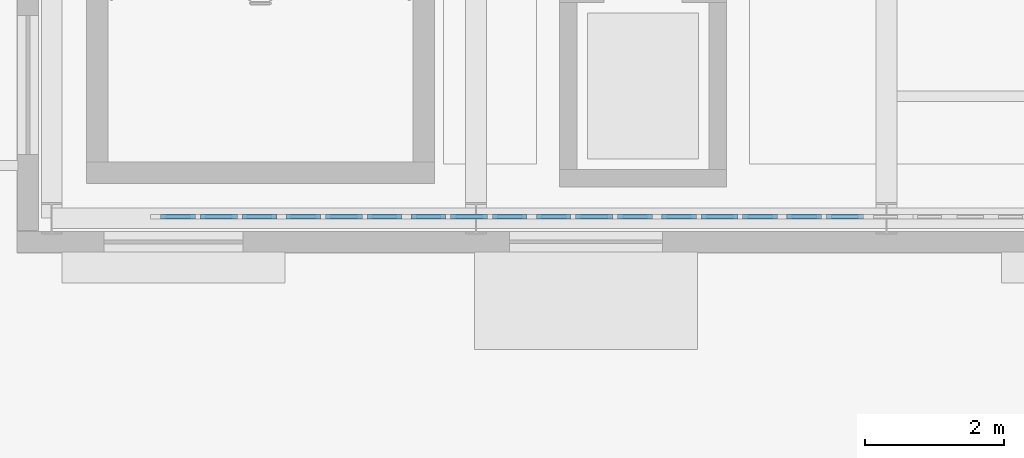
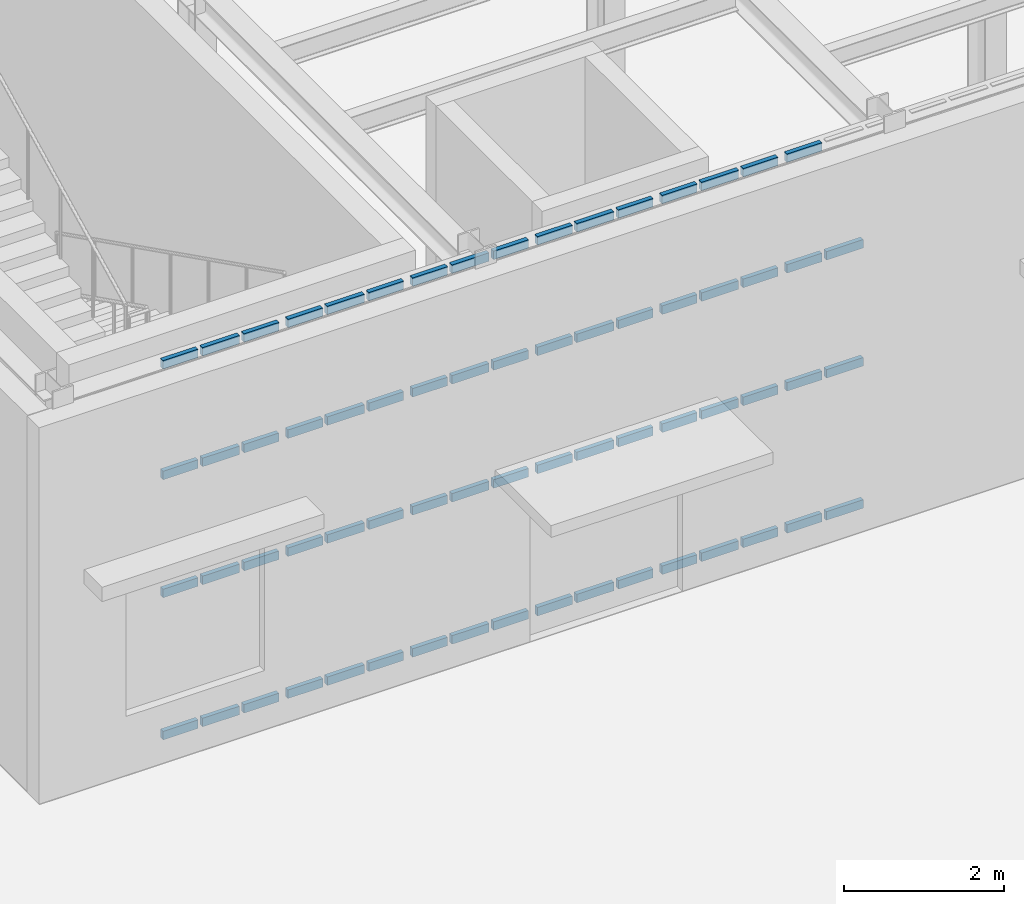
# One storey, part 56 of 118: 67 members, 6 elements without a shape of their own.
"""IFC4 building model written with IfcOpenShell, lengths in metres."""

from ifc_helpers import new_model, si_unit, direction, frame, origin, origin_2d, place, context, subcontext, project, spatial, rectangle, extrude, material, material_profile, profile_set, type_object, element, aggregate, save


model = new_model("IFC4")

# Units and contexts
model_context = context("Model", 3, precision=1e-05, world=origin(), true_north=direction((0.0, 1.0)))
body_context = subcontext(model_context, "Body", "Model", "MODEL_VIEW")
ifc_project = project(units=[si_unit("LENGTHUNIT", "METRE"), si_unit("AREAUNIT", "SQUARE_METRE"), si_unit("VOLUMEUNIT", "CUBIC_METRE"), si_unit("PLANEANGLEUNIT", "RADIAN"), si_unit("MASSUNIT", "GRAM", prefix="KILO")], contexts=[model_context])

# Site, building, storey
site_placement = place(None, origin())
site = spatial("IfcSite", under=ifc_project, at=site_placement, CompositionType="ELEMENT")
building_placement = place(site_placement, origin())
building = spatial("IfcBuilding", under=site, at=building_placement, Name="Kolvaren Corner Interchange", CompositionType="ELEMENT")
storey_placement = place(building_placement, origin())
storey = spatial("IfcBuildingStorey", under=building, at=storey_placement, Name="L01", CompositionType="ELEMENT", Elevation=0.0)

# Curtain wall, members
ifc_material_1 = material(Name="Unitised Aluminium and Solar-Control Glass Curtain Wall", Category="aluminium")
curtain_wall_type = type_object("IfcCurtainWallType", Name="CW-V3-CYCLE", PredefinedType="NOTDEFINED", material=ifc_material_1)
curtain_wall_1_placement = place(storey_placement, origin())
curtain_wall_1 = element("IfcCurtainWall", 1, at=curtain_wall_1_placement, inside=storey, type_object=curtain_wall_type, Name="Cycle Showcase Ground Curtain Wall Bay 01", PredefinedType="NOTDEFINED")
ifc_material_2 = material(Name="Anodised Aluminium Framing", Category="aluminium")
ifc_material_profile = material_profile(ifc_material_2, rectangle(XDim=0.06494140625, YDim=0.1298828125, at=origin_2d()), Name="ALU 65x130")
ifc_profile_set = profile_set([ifc_material_profile], Name="Anodised Aluminium Framing")
member_type = type_object("IfcMemberType", Name="TRN-ALU65x130", PredefinedType="USERDEFINED", material=ifc_profile_set)
member_1_placement = place(storey_placement, frame((68.06494140625, 84.52001953125, 0.032470703125), z_axis=(1.0, 0.0, 0.0), x_axis=(0.0, 1.0, 0.0)))
member_1 = element("IfcMember", 2, at=member_1_placement, type_object=member_type, Name="CW-106 transom 1.1", ObjectType="TRANSOM", PredefinedType="USERDEFINED", context=body_context, shape_type="SweptSolid", body=[
    extrude(rectangle(XDim=0.06494140625, YDim=0.1298828125, at=origin_2d()), origin(), (0.0, 0.0, 1.0), 0.50244140625),
])
member_2_placement = place(storey_placement, frame((68.06494140625, 84.52001953125, 2.199951171875), z_axis=(1.0, 0.0, 0.0), x_axis=(0.0, 1.0, 0.0)))
member_2 = element("IfcMember", 3, at=member_2_placement, type_object=member_type, Name="CW-106 transom 1.2", ObjectType="TRANSOM", PredefinedType="USERDEFINED", context=body_context, shape_type="SweptSolid", body=[
    extrude(rectangle(XDim=0.06494140625, YDim=0.1298828125, at=origin_2d()), origin(), (0.0, 0.0, 1.0), 0.50244140625),
])
member_3_placement = place(storey_placement, frame((68.06494140625, 84.52001953125, 4.0), z_axis=(1.0, 0.0, 0.0), x_axis=(0.0, 1.0, 0.0)))
member_3 = element("IfcMember", 4, at=member_3_placement, type_object=member_type, Name="CW-106 transom 1.3", ObjectType="TRANSOM", PredefinedType="USERDEFINED", context=body_context, shape_type="SweptSolid", body=[
    extrude(rectangle(XDim=0.06494140625, YDim=0.1298828125, at=origin_2d()), origin(), (0.0, 0.0, 1.0), 0.50244140625),
])
member_4_placement = place(storey_placement, frame((68.06494140625, 84.52001953125, 5.6875), z_axis=(1.0, 0.0, 0.0), x_axis=(0.0, 1.0, 0.0)))
member_4 = element("IfcMember", 5, at=member_4_placement, type_object=member_type, Name="CW-106 transom 1.4", ObjectType="TRANSOM", PredefinedType="USERDEFINED", context=body_context, shape_type="SweptSolid", body=[
    extrude(rectangle(XDim=0.06494140625, YDim=0.1298828125, at=origin_2d()), origin(), (0.0, 0.0, 1.0), 0.50244140625),
])
member_5_placement = place(storey_placement, frame((68.632568359375, 84.52001953125, 0.032470703125), z_axis=(1.0, 0.0, 0.0), x_axis=(0.0, 1.0, 0.0)))
member_5 = element("IfcMember", 6, at=member_5_placement, type_object=member_type, Name="CW-106 transom 2.1", ObjectType="TRANSOM", PredefinedType="USERDEFINED", context=body_context, shape_type="SweptSolid", body=[
    extrude(rectangle(XDim=0.06494140625, YDim=0.1298828125, at=origin_2d()), origin(), (0.0, 0.0, 1.0), 0.534912109375),
])
member_6_placement = place(storey_placement, frame((68.632568359375, 84.52001953125, 2.199951171875), z_axis=(1.0, 0.0, 0.0), x_axis=(0.0, 1.0, 0.0)))
member_6 = element("IfcMember", 7, at=member_6_placement, type_object=member_type, Name="CW-106 transom 2.2", ObjectType="TRANSOM", PredefinedType="USERDEFINED", context=body_context, shape_type="SweptSolid", body=[
    extrude(rectangle(XDim=0.06494140625, YDim=0.1298828125, at=origin_2d()), origin(), (0.0, 0.0, 1.0), 0.534912109375),
])
member_7_placement = place(storey_placement, frame((68.632568359375, 84.52001953125, 4.0), z_axis=(1.0, 0.0, 0.0), x_axis=(0.0, 1.0, 0.0)))
member_7 = element("IfcMember", 8, at=member_7_placement, type_object=member_type, Name="CW-106 transom 2.3", ObjectType="TRANSOM", PredefinedType="USERDEFINED", context=body_context, shape_type="SweptSolid", body=[
    extrude(rectangle(XDim=0.06494140625, YDim=0.1298828125, at=origin_2d()), origin(), (0.0, 0.0, 1.0), 0.534912109375),
])
member_8_placement = place(storey_placement, frame((68.632568359375, 84.52001953125, 5.6875), z_axis=(1.0, 0.0, 0.0), x_axis=(0.0, 1.0, 0.0)))
member_8 = element("IfcMember", 9, at=member_8_placement, type_object=member_type, Name="CW-106 transom 2.4", ObjectType="TRANSOM", PredefinedType="USERDEFINED", context=body_context, shape_type="SweptSolid", body=[
    extrude(rectangle(XDim=0.06494140625, YDim=0.1298828125, at=origin_2d()), origin(), (0.0, 0.0, 1.0), 0.534912109375),
])
member_9_placement = place(storey_placement, frame((69.232421875, 84.52001953125, 0.032470703125), z_axis=(1.0, 0.0, 0.0), x_axis=(0.0, 1.0, 0.0)))
member_9 = element("IfcMember", 10, at=member_9_placement, type_object=member_type, Name="CW-106 transom 3.1", ObjectType="TRANSOM", PredefinedType="USERDEFINED", context=body_context, shape_type="SweptSolid", body=[
    extrude(rectangle(XDim=0.06494140625, YDim=0.1298828125, at=origin_2d()), origin(), (0.0, 0.0, 1.0), 0.502685546875),
])
member_10_placement = place(storey_placement, frame((69.232421875, 84.52001953125, 2.199951171875), z_axis=(1.0, 0.0, 0.0), x_axis=(0.0, 1.0, 0.0)))
member_10 = element("IfcMember", 11, at=member_10_placement, type_object=member_type, Name="CW-106 transom 3.2", ObjectType="TRANSOM", PredefinedType="USERDEFINED", context=body_context, shape_type="SweptSolid", body=[
    extrude(rectangle(XDim=0.06494140625, YDim=0.1298828125, at=origin_2d()), origin(), (0.0, 0.0, 1.0), 0.502685546875),
])
member_11_placement = place(storey_placement, frame((69.232421875, 84.52001953125, 4.0), z_axis=(1.0, 0.0, 0.0), x_axis=(0.0, 1.0, 0.0)))
member_11 = element("IfcMember", 12, at=member_11_placement, type_object=member_type, Name="CW-106 transom 3.3", ObjectType="TRANSOM", PredefinedType="USERDEFINED", context=body_context, shape_type="SweptSolid", body=[
    extrude(rectangle(XDim=0.06494140625, YDim=0.1298828125, at=origin_2d()), origin(), (0.0, 0.0, 1.0), 0.502685546875),
])
member_12_placement = place(storey_placement, frame((69.232421875, 84.52001953125, 5.6875), z_axis=(1.0, 0.0, 0.0), x_axis=(0.0, 1.0, 0.0)))
member_12 = element("IfcMember", 13, at=member_12_placement, type_object=member_type, Name="CW-106 transom 3.4", ObjectType="TRANSOM", PredefinedType="USERDEFINED", context=body_context, shape_type="SweptSolid", body=[
    extrude(rectangle(XDim=0.06494140625, YDim=0.1298828125, at=origin_2d()), origin(), (0.0, 0.0, 1.0), 0.502685546875),
])
aggregate(curtain_wall_1, [member_1, member_2, member_3, member_4, member_5, member_6, member_7, member_8, member_9, member_10, member_11, member_12])

curtain_wall_2_placement = place(storey_placement, origin())
curtain_wall_2 = element("IfcCurtainWall", 14, at=curtain_wall_2_placement, inside=storey, type_object=curtain_wall_type, Name="Cycle Showcase Ground Curtain Wall Bay 02", PredefinedType="NOTDEFINED")
member_13_placement = place(storey_placement, frame((69.864990234375, 84.52001953125, 0.032470703125), z_axis=(1.0, 0.0, 0.0), x_axis=(0.0, 1.0, 0.0)))
member_13 = element("IfcMember", 15, at=member_13_placement, type_object=member_type, Name="CW-107 transom 1.1", ObjectType="TRANSOM", PredefinedType="USERDEFINED", context=body_context, shape_type="SweptSolid", body=[
    extrude(rectangle(XDim=0.06494140625, YDim=0.1298828125, at=origin_2d()), origin(), (0.0, 0.0, 1.0), 0.50244140625),
])
member_14_placement = place(storey_placement, frame((69.864990234375, 84.52001953125, 2.199951171875), z_axis=(1.0, 0.0, 0.0), x_axis=(0.0, 1.0, 0.0)))
member_14 = element("IfcMember", 16, at=member_14_placement, type_object=member_type, Name="CW-107 transom 1.2", ObjectType="TRANSOM", PredefinedType="USERDEFINED", context=body_context, shape_type="SweptSolid", body=[
    extrude(rectangle(XDim=0.06494140625, YDim=0.1298828125, at=origin_2d()), origin(), (0.0, 0.0, 1.0), 0.50244140625),
])
member_15_placement = place(storey_placement, frame((69.864990234375, 84.52001953125, 4.0), z_axis=(1.0, 0.0, 0.0), x_axis=(0.0, 1.0, 0.0)))
member_15 = element("IfcMember", 17, at=member_15_placement, type_object=member_type, Name="CW-107 transom 1.3", ObjectType="TRANSOM", PredefinedType="USERDEFINED", context=body_context, shape_type="SweptSolid", body=[
    extrude(rectangle(XDim=0.06494140625, YDim=0.1298828125, at=origin_2d()), origin(), (0.0, 0.0, 1.0), 0.50244140625),
])
member_16_placement = place(storey_placement, frame((69.864990234375, 84.52001953125, 5.6875), z_axis=(1.0, 0.0, 0.0), x_axis=(0.0, 1.0, 0.0)))
member_16 = element("IfcMember", 18, at=member_16_placement, type_object=member_type, Name="CW-107 transom 1.4", ObjectType="TRANSOM", PredefinedType="USERDEFINED", context=body_context, shape_type="SweptSolid", body=[
    extrude(rectangle(XDim=0.06494140625, YDim=0.1298828125, at=origin_2d()), origin(), (0.0, 0.0, 1.0), 0.50244140625),
])
member_17_placement = place(storey_placement, frame((70.4326171875, 84.52001953125, 0.032470703125), z_axis=(1.0, 0.0, 0.0), x_axis=(0.0, 1.0, 0.0)))
member_17 = element("IfcMember", 19, at=member_17_placement, type_object=member_type, Name="CW-107 transom 2.1", ObjectType="TRANSOM", PredefinedType="USERDEFINED", context=body_context, shape_type="SweptSolid", body=[
    extrude(rectangle(XDim=0.06494140625, YDim=0.1298828125, at=origin_2d()), origin(), (0.0, 0.0, 1.0), 0.534912109375),
])
member_18_placement = place(storey_placement, frame((70.4326171875, 84.52001953125, 2.199951171875), z_axis=(1.0, 0.0, 0.0), x_axis=(0.0, 1.0, 0.0)))
member_18 = element("IfcMember", 20, at=member_18_placement, type_object=member_type, Name="CW-107 transom 2.2", ObjectType="TRANSOM", PredefinedType="USERDEFINED", context=body_context, shape_type="SweptSolid", body=[
    extrude(rectangle(XDim=0.06494140625, YDim=0.1298828125, at=origin_2d()), origin(), (0.0, 0.0, 1.0), 0.534912109375),
])
member_19_placement = place(storey_placement, frame((70.4326171875, 84.52001953125, 4.0), z_axis=(1.0, 0.0, 0.0), x_axis=(0.0, 1.0, 0.0)))
member_19 = element("IfcMember", 21, at=member_19_placement, type_object=member_type, Name="CW-107 transom 2.3", ObjectType="TRANSOM", PredefinedType="USERDEFINED", context=body_context, shape_type="SweptSolid", body=[
    extrude(rectangle(XDim=0.06494140625, YDim=0.1298828125, at=origin_2d()), origin(), (0.0, 0.0, 1.0), 0.534912109375),
])
member_20_placement = place(storey_placement, frame((70.4326171875, 84.52001953125, 5.6875), z_axis=(1.0, 0.0, 0.0), x_axis=(0.0, 1.0, 0.0)))
member_20 = element("IfcMember", 22, at=member_20_placement, type_object=member_type, Name="CW-107 transom 2.4", ObjectType="TRANSOM", PredefinedType="USERDEFINED", context=body_context, shape_type="SweptSolid", body=[
    extrude(rectangle(XDim=0.06494140625, YDim=0.1298828125, at=origin_2d()), origin(), (0.0, 0.0, 1.0), 0.534912109375),
])
member_21_placement = place(storey_placement, frame((71.032470703125, 84.52001953125, 0.032470703125), z_axis=(1.0, 0.0, 0.0), x_axis=(0.0, 1.0, 0.0)))
member_21 = element("IfcMember", 23, at=member_21_placement, type_object=member_type, Name="CW-107 transom 3.1", ObjectType="TRANSOM", PredefinedType="USERDEFINED", context=body_context, shape_type="SweptSolid", body=[
    extrude(rectangle(XDim=0.06494140625, YDim=0.1298828125, at=origin_2d()), origin(), (0.0, 0.0, 1.0), 0.50244140625),
])
member_22_placement = place(storey_placement, frame((71.032470703125, 84.52001953125, 2.199951171875), z_axis=(1.0, 0.0, 0.0), x_axis=(0.0, 1.0, 0.0)))
member_22 = element("IfcMember", 24, at=member_22_placement, type_object=member_type, Name="CW-107 transom 3.2", ObjectType="TRANSOM", PredefinedType="USERDEFINED", context=body_context, shape_type="SweptSolid", body=[
    extrude(rectangle(XDim=0.06494140625, YDim=0.1298828125, at=origin_2d()), origin(), (0.0, 0.0, 1.0), 0.50244140625),
])
member_23_placement = place(storey_placement, frame((71.032470703125, 84.52001953125, 4.0), z_axis=(1.0, 0.0, 0.0), x_axis=(0.0, 1.0, 0.0)))
member_23 = element("IfcMember", 25, at=member_23_placement, type_object=member_type, Name="CW-107 transom 3.3", ObjectType="TRANSOM", PredefinedType="USERDEFINED", context=body_context, shape_type="SweptSolid", body=[
    extrude(rectangle(XDim=0.06494140625, YDim=0.1298828125, at=origin_2d()), origin(), (0.0, 0.0, 1.0), 0.50244140625),
])
member_24_placement = place(storey_placement, frame((71.032470703125, 84.52001953125, 5.6875), z_axis=(1.0, 0.0, 0.0), x_axis=(0.0, 1.0, 0.0)))
member_24 = element("IfcMember", 26, at=member_24_placement, type_object=member_type, Name="CW-107 transom 3.4", ObjectType="TRANSOM", PredefinedType="USERDEFINED", context=body_context, shape_type="SweptSolid", body=[
    extrude(rectangle(XDim=0.06494140625, YDim=0.1298828125, at=origin_2d()), origin(), (0.0, 0.0, 1.0), 0.50244140625),
])
aggregate(curtain_wall_2, [member_13, member_14, member_15, member_16, member_17, member_18, member_19, member_20, member_21, member_22, member_23, member_24])

curtain_wall_3_placement = place(storey_placement, origin())
curtain_wall_3 = element("IfcCurtainWall", 27, at=curtain_wall_3_placement, inside=storey, type_object=curtain_wall_type, Name="Cycle Showcase Ground Curtain Wall Bay 03", PredefinedType="NOTDEFINED")
member_25_placement = place(storey_placement, frame((71.6650390625, 84.52001953125, 0.032470703125), z_axis=(1.0, 0.0, 0.0), x_axis=(0.0, 1.0, 0.0)))
member_25 = element("IfcMember", 28, at=member_25_placement, type_object=member_type, Name="CW-108 transom 1.1", ObjectType="TRANSOM", PredefinedType="USERDEFINED", context=body_context, shape_type="SweptSolid", body=[
    extrude(rectangle(XDim=0.06494140625, YDim=0.1298828125, at=origin_2d()), origin(), (0.0, 0.0, 1.0), 0.50244140625),
])
member_26_placement = place(storey_placement, frame((71.6650390625, 84.52001953125, 2.199951171875), z_axis=(1.0, 0.0, 0.0), x_axis=(0.0, 1.0, 0.0)))
member_26 = element("IfcMember", 29, at=member_26_placement, type_object=member_type, Name="CW-108 transom 1.2", ObjectType="TRANSOM", PredefinedType="USERDEFINED", context=body_context, shape_type="SweptSolid", body=[
    extrude(rectangle(XDim=0.06494140625, YDim=0.1298828125, at=origin_2d()), origin(), (0.0, 0.0, 1.0), 0.50244140625),
])
member_27_placement = place(storey_placement, frame((71.6650390625, 84.52001953125, 4.0), z_axis=(1.0, 0.0, 0.0), x_axis=(0.0, 1.0, 0.0)))
member_27 = element("IfcMember", 30, at=member_27_placement, type_object=member_type, Name="CW-108 transom 1.3", ObjectType="TRANSOM", PredefinedType="USERDEFINED", context=body_context, shape_type="SweptSolid", body=[
    extrude(rectangle(XDim=0.06494140625, YDim=0.1298828125, at=origin_2d()), origin(), (0.0, 0.0, 1.0), 0.50244140625),
])
member_28_placement = place(storey_placement, frame((71.6650390625, 84.52001953125, 5.6875), z_axis=(1.0, 0.0, 0.0), x_axis=(0.0, 1.0, 0.0)))
member_28 = element("IfcMember", 31, at=member_28_placement, type_object=member_type, Name="CW-108 transom 1.4", ObjectType="TRANSOM", PredefinedType="USERDEFINED", context=body_context, shape_type="SweptSolid", body=[
    extrude(rectangle(XDim=0.06494140625, YDim=0.1298828125, at=origin_2d()), origin(), (0.0, 0.0, 1.0), 0.50244140625),
])
member_29_placement = place(storey_placement, frame((72.232421875, 84.52001953125, 0.032470703125), z_axis=(1.0, 0.0, 0.0), x_axis=(0.0, 1.0, 0.0)))
member_29 = element("IfcMember", 32, at=member_29_placement, type_object=member_type, Name="CW-108 transom 2.1", ObjectType="TRANSOM", PredefinedType="USERDEFINED", context=body_context, shape_type="SweptSolid", body=[
    extrude(rectangle(XDim=0.06494140625, YDim=0.1298828125, at=origin_2d()), origin(), (0.0, 0.0, 1.0), 0.53515625),
])
member_30_placement = place(storey_placement, frame((72.232421875, 84.52001953125, 2.199951171875), z_axis=(1.0, 0.0, 0.0), x_axis=(0.0, 1.0, 0.0)))
member_30 = element("IfcMember", 33, at=member_30_placement, type_object=member_type, Name="CW-108 transom 2.2", ObjectType="TRANSOM", PredefinedType="USERDEFINED", context=body_context, shape_type="SweptSolid", body=[
    extrude(rectangle(XDim=0.06494140625, YDim=0.1298828125, at=origin_2d()), origin(), (0.0, 0.0, 1.0), 0.53515625),
])
member_31_placement = place(storey_placement, frame((72.232421875, 84.52001953125, 4.0), z_axis=(1.0, 0.0, 0.0), x_axis=(0.0, 1.0, 0.0)))
member_31 = element("IfcMember", 34, at=member_31_placement, type_object=member_type, Name="CW-108 transom 2.3", ObjectType="TRANSOM", PredefinedType="USERDEFINED", context=body_context, shape_type="SweptSolid", body=[
    extrude(rectangle(XDim=0.06494140625, YDim=0.1298828125, at=origin_2d()), origin(), (0.0, 0.0, 1.0), 0.53515625),
])
member_32_placement = place(storey_placement, frame((72.232421875, 84.52001953125, 5.6875), z_axis=(1.0, 0.0, 0.0), x_axis=(0.0, 1.0, 0.0)))
member_32 = element("IfcMember", 35, at=member_32_placement, type_object=member_type, Name="CW-108 transom 2.4", ObjectType="TRANSOM", PredefinedType="USERDEFINED", context=body_context, shape_type="SweptSolid", body=[
    extrude(rectangle(XDim=0.06494140625, YDim=0.1298828125, at=origin_2d()), origin(), (0.0, 0.0, 1.0), 0.53515625),
])
member_33_placement = place(storey_placement, frame((72.83251953125, 84.52001953125, 0.032470703125), z_axis=(1.0, 0.0, 0.0), x_axis=(0.0, 1.0, 0.0)))
member_33 = element("IfcMember", 36, at=member_33_placement, type_object=member_type, Name="CW-108 transom 3.1", ObjectType="TRANSOM", PredefinedType="USERDEFINED", context=body_context, shape_type="SweptSolid", body=[
    extrude(rectangle(XDim=0.06494140625, YDim=0.1298828125, at=origin_2d()), origin(), (0.0, 0.0, 1.0), 0.50244140625),
])
member_34_placement = place(storey_placement, frame((72.83251953125, 84.52001953125, 2.199951171875), z_axis=(1.0, 0.0, 0.0), x_axis=(0.0, 1.0, 0.0)))
member_34 = element("IfcMember", 37, at=member_34_placement, type_object=member_type, Name="CW-108 transom 3.2", ObjectType="TRANSOM", PredefinedType="USERDEFINED", context=body_context, shape_type="SweptSolid", body=[
    extrude(rectangle(XDim=0.06494140625, YDim=0.1298828125, at=origin_2d()), origin(), (0.0, 0.0, 1.0), 0.50244140625),
])
member_35_placement = place(storey_placement, frame((72.83251953125, 84.52001953125, 4.0), z_axis=(1.0, 0.0, 0.0), x_axis=(0.0, 1.0, 0.0)))
member_35 = element("IfcMember", 38, at=member_35_placement, type_object=member_type, Name="CW-108 transom 3.3", ObjectType="TRANSOM", PredefinedType="USERDEFINED", context=body_context, shape_type="SweptSolid", body=[
    extrude(rectangle(XDim=0.06494140625, YDim=0.1298828125, at=origin_2d()), origin(), (0.0, 0.0, 1.0), 0.50244140625),
])
member_36_placement = place(storey_placement, frame((72.83251953125, 84.52001953125, 5.6875), z_axis=(1.0, 0.0, 0.0), x_axis=(0.0, 1.0, 0.0)))
member_36 = element("IfcMember", 39, at=member_36_placement, type_object=member_type, Name="CW-108 transom 3.4", ObjectType="TRANSOM", PredefinedType="USERDEFINED", context=body_context, shape_type="SweptSolid", body=[
    extrude(rectangle(XDim=0.06494140625, YDim=0.1298828125, at=origin_2d()), origin(), (0.0, 0.0, 1.0), 0.50244140625),
])
aggregate(curtain_wall_3, [member_25, member_26, member_27, member_28, member_29, member_30, member_31, member_32, member_33, member_34, member_35, member_36])

curtain_wall_4_placement = place(storey_placement, origin())
curtain_wall_4 = element("IfcCurtainWall", 40, at=curtain_wall_4_placement, inside=storey, type_object=curtain_wall_type, Name="Cycle Showcase Ground Curtain Wall Bay 04", PredefinedType="NOTDEFINED")
member_37_placement = place(storey_placement, frame((73.465087890625, 84.52001953125, 0.032470703125), z_axis=(1.0, 0.0, 0.0), x_axis=(0.0, 1.0, 0.0)))
member_37 = element("IfcMember", 41, at=member_37_placement, type_object=member_type, Name="CW-109 transom 1.1", ObjectType="TRANSOM", PredefinedType="USERDEFINED", context=body_context, shape_type="SweptSolid", body=[
    extrude(rectangle(XDim=0.06494140625, YDim=0.1298828125, at=origin_2d()), origin(), (0.0, 0.0, 1.0), 0.50244140625),
])
member_38_placement = place(storey_placement, frame((73.465087890625, 84.52001953125, 2.199951171875), z_axis=(1.0, 0.0, 0.0), x_axis=(0.0, 1.0, 0.0)))
member_38 = element("IfcMember", 42, at=member_38_placement, type_object=member_type, Name="CW-109 transom 1.2", ObjectType="TRANSOM", PredefinedType="USERDEFINED", context=body_context, shape_type="SweptSolid", body=[
    extrude(rectangle(XDim=0.06494140625, YDim=0.1298828125, at=origin_2d()), origin(), (0.0, 0.0, 1.0), 0.50244140625),
])
member_39_placement = place(storey_placement, frame((73.465087890625, 84.52001953125, 4.0), z_axis=(1.0, 0.0, 0.0), x_axis=(0.0, 1.0, 0.0)))
member_39 = element("IfcMember", 43, at=member_39_placement, type_object=member_type, Name="CW-109 transom 1.3", ObjectType="TRANSOM", PredefinedType="USERDEFINED", context=body_context, shape_type="SweptSolid", body=[
    extrude(rectangle(XDim=0.06494140625, YDim=0.1298828125, at=origin_2d()), origin(), (0.0, 0.0, 1.0), 0.50244140625),
])
member_40_placement = place(storey_placement, frame((73.465087890625, 84.52001953125, 5.6875), z_axis=(1.0, 0.0, 0.0), x_axis=(0.0, 1.0, 0.0)))
member_40 = element("IfcMember", 44, at=member_40_placement, type_object=member_type, Name="CW-109 transom 1.4", ObjectType="TRANSOM", PredefinedType="USERDEFINED", context=body_context, shape_type="SweptSolid", body=[
    extrude(rectangle(XDim=0.06494140625, YDim=0.1298828125, at=origin_2d()), origin(), (0.0, 0.0, 1.0), 0.50244140625),
])
member_41_placement = place(storey_placement, frame((74.032470703125, 84.52001953125, 0.032470703125), z_axis=(1.0, 0.0, 0.0), x_axis=(0.0, 1.0, 0.0)))
member_41 = element("IfcMember", 45, at=member_41_placement, type_object=member_type, Name="CW-109 transom 2.1", ObjectType="TRANSOM", PredefinedType="USERDEFINED", context=body_context, shape_type="SweptSolid", body=[
    extrude(rectangle(XDim=0.06494140625, YDim=0.1298828125, at=origin_2d()), origin(), (0.0, 0.0, 1.0), 0.534912109375),
])
member_42_placement = place(storey_placement, frame((74.032470703125, 84.52001953125, 2.199951171875), z_axis=(1.0, 0.0, 0.0), x_axis=(0.0, 1.0, 0.0)))
member_42 = element("IfcMember", 46, at=member_42_placement, type_object=member_type, Name="CW-109 transom 2.2", ObjectType="TRANSOM", PredefinedType="USERDEFINED", context=body_context, shape_type="SweptSolid", body=[
    extrude(rectangle(XDim=0.06494140625, YDim=0.1298828125, at=origin_2d()), origin(), (0.0, 0.0, 1.0), 0.534912109375),
])
member_43_placement = place(storey_placement, frame((74.032470703125, 84.52001953125, 4.0), z_axis=(1.0, 0.0, 0.0), x_axis=(0.0, 1.0, 0.0)))
member_43 = element("IfcMember", 47, at=member_43_placement, type_object=member_type, Name="CW-109 transom 2.3", ObjectType="TRANSOM", PredefinedType="USERDEFINED", context=body_context, shape_type="SweptSolid", body=[
    extrude(rectangle(XDim=0.06494140625, YDim=0.1298828125, at=origin_2d()), origin(), (0.0, 0.0, 1.0), 0.534912109375),
])
member_44_placement = place(storey_placement, frame((74.032470703125, 84.52001953125, 5.6875), z_axis=(1.0, 0.0, 0.0), x_axis=(0.0, 1.0, 0.0)))
member_44 = element("IfcMember", 48, at=member_44_placement, type_object=member_type, Name="CW-109 transom 2.4", ObjectType="TRANSOM", PredefinedType="USERDEFINED", context=body_context, shape_type="SweptSolid", body=[
    extrude(rectangle(XDim=0.06494140625, YDim=0.1298828125, at=origin_2d()), origin(), (0.0, 0.0, 1.0), 0.534912109375),
])
member_45_placement = place(storey_placement, frame((74.632568359375, 84.52001953125, 0.032470703125), z_axis=(1.0, 0.0, 0.0), x_axis=(0.0, 1.0, 0.0)))
member_45 = element("IfcMember", 49, at=member_45_placement, type_object=member_type, Name="CW-109 transom 3.1", ObjectType="TRANSOM", PredefinedType="USERDEFINED", context=body_context, shape_type="SweptSolid", body=[
    extrude(rectangle(XDim=0.06494140625, YDim=0.1298828125, at=origin_2d()), origin(), (0.0, 0.0, 1.0), 0.50244140625),
])
member_46_placement = place(storey_placement, frame((74.632568359375, 84.52001953125, 2.199951171875), z_axis=(1.0, 0.0, 0.0), x_axis=(0.0, 1.0, 0.0)))
member_46 = element("IfcMember", 50, at=member_46_placement, type_object=member_type, Name="CW-109 transom 3.2", ObjectType="TRANSOM", PredefinedType="USERDEFINED", context=body_context, shape_type="SweptSolid", body=[
    extrude(rectangle(XDim=0.06494140625, YDim=0.1298828125, at=origin_2d()), origin(), (0.0, 0.0, 1.0), 0.50244140625),
])
member_47_placement = place(storey_placement, frame((74.632568359375, 84.52001953125, 4.0), z_axis=(1.0, 0.0, 0.0), x_axis=(0.0, 1.0, 0.0)))
member_47 = element("IfcMember", 51, at=member_47_placement, type_object=member_type, Name="CW-109 transom 3.3", ObjectType="TRANSOM", PredefinedType="USERDEFINED", context=body_context, shape_type="SweptSolid", body=[
    extrude(rectangle(XDim=0.06494140625, YDim=0.1298828125, at=origin_2d()), origin(), (0.0, 0.0, 1.0), 0.50244140625),
])
member_48_placement = place(storey_placement, frame((74.632568359375, 84.52001953125, 5.6875), z_axis=(1.0, 0.0, 0.0), x_axis=(0.0, 1.0, 0.0)))
member_48 = element("IfcMember", 52, at=member_48_placement, type_object=member_type, Name="CW-109 transom 3.4", ObjectType="TRANSOM", PredefinedType="USERDEFINED", context=body_context, shape_type="SweptSolid", body=[
    extrude(rectangle(XDim=0.06494140625, YDim=0.1298828125, at=origin_2d()), origin(), (0.0, 0.0, 1.0), 0.50244140625),
])
aggregate(curtain_wall_4, [member_37, member_38, member_39, member_40, member_41, member_42, member_43, member_44, member_45, member_46, member_47, member_48])

curtain_wall_5_placement = place(storey_placement, origin())
curtain_wall_5 = element("IfcCurtainWall", 53, at=curtain_wall_5_placement, inside=storey, type_object=curtain_wall_type, Name="Cycle Showcase Ground Curtain Wall Bay 05", PredefinedType="NOTDEFINED")
member_49_placement = place(storey_placement, frame((75.264892578125, 84.52001953125, 0.032470703125), z_axis=(1.0, 0.0, 0.0), x_axis=(0.0, 1.0, 0.0)))
member_49 = element("IfcMember", 54, at=member_49_placement, type_object=member_type, Name="CW-110 transom 1.1", ObjectType="TRANSOM", PredefinedType="USERDEFINED", context=body_context, shape_type="SweptSolid", body=[
    extrude(rectangle(XDim=0.06494140625, YDim=0.1298828125, at=origin_2d()), origin(), (0.0, 0.0, 1.0), 0.502685546875),
])
member_50_placement = place(storey_placement, frame((75.264892578125, 84.52001953125, 2.199951171875), z_axis=(1.0, 0.0, 0.0), x_axis=(0.0, 1.0, 0.0)))
member_50 = element("IfcMember", 55, at=member_50_placement, type_object=member_type, Name="CW-110 transom 1.2", ObjectType="TRANSOM", PredefinedType="USERDEFINED", context=body_context, shape_type="SweptSolid", body=[
    extrude(rectangle(XDim=0.06494140625, YDim=0.1298828125, at=origin_2d()), origin(), (0.0, 0.0, 1.0), 0.502685546875),
])
member_51_placement = place(storey_placement, frame((75.264892578125, 84.52001953125, 4.0), z_axis=(1.0, 0.0, 0.0), x_axis=(0.0, 1.0, 0.0)))
member_51 = element("IfcMember", 56, at=member_51_placement, type_object=member_type, Name="CW-110 transom 1.3", ObjectType="TRANSOM", PredefinedType="USERDEFINED", context=body_context, shape_type="SweptSolid", body=[
    extrude(rectangle(XDim=0.06494140625, YDim=0.1298828125, at=origin_2d()), origin(), (0.0, 0.0, 1.0), 0.502685546875),
])
member_52_placement = place(storey_placement, frame((75.264892578125, 84.52001953125, 5.6875), z_axis=(1.0, 0.0, 0.0), x_axis=(0.0, 1.0, 0.0)))
member_52 = element("IfcMember", 57, at=member_52_placement, type_object=member_type, Name="CW-110 transom 1.4", ObjectType="TRANSOM", PredefinedType="USERDEFINED", context=body_context, shape_type="SweptSolid", body=[
    extrude(rectangle(XDim=0.06494140625, YDim=0.1298828125, at=origin_2d()), origin(), (0.0, 0.0, 1.0), 0.502685546875),
])
member_53_placement = place(storey_placement, frame((75.83251953125, 84.52001953125, 0.032470703125), z_axis=(1.0, 0.0, 0.0), x_axis=(0.0, 1.0, 0.0)))
member_53 = element("IfcMember", 58, at=member_53_placement, type_object=member_type, Name="CW-110 transom 2.1", ObjectType="TRANSOM", PredefinedType="USERDEFINED", context=body_context, shape_type="SweptSolid", body=[
    extrude(rectangle(XDim=0.06494140625, YDim=0.1298828125, at=origin_2d()), origin(), (0.0, 0.0, 1.0), 0.534912109375),
])
member_54_placement = place(storey_placement, frame((75.83251953125, 84.52001953125, 2.199951171875), z_axis=(1.0, 0.0, 0.0), x_axis=(0.0, 1.0, 0.0)))
member_54 = element("IfcMember", 59, at=member_54_placement, type_object=member_type, Name="CW-110 transom 2.2", ObjectType="TRANSOM", PredefinedType="USERDEFINED", context=body_context, shape_type="SweptSolid", body=[
    extrude(rectangle(XDim=0.06494140625, YDim=0.1298828125, at=origin_2d()), origin(), (0.0, 0.0, 1.0), 0.534912109375),
])
member_55_placement = place(storey_placement, frame((75.83251953125, 84.52001953125, 4.0), z_axis=(1.0, 0.0, 0.0), x_axis=(0.0, 1.0, 0.0)))
member_55 = element("IfcMember", 60, at=member_55_placement, type_object=member_type, Name="CW-110 transom 2.3", ObjectType="TRANSOM", PredefinedType="USERDEFINED", context=body_context, shape_type="SweptSolid", body=[
    extrude(rectangle(XDim=0.06494140625, YDim=0.1298828125, at=origin_2d()), origin(), (0.0, 0.0, 1.0), 0.534912109375),
])
member_56_placement = place(storey_placement, frame((75.83251953125, 84.52001953125, 5.6875), z_axis=(1.0, 0.0, 0.0), x_axis=(0.0, 1.0, 0.0)))
member_56 = element("IfcMember", 61, at=member_56_placement, type_object=member_type, Name="CW-110 transom 2.4", ObjectType="TRANSOM", PredefinedType="USERDEFINED", context=body_context, shape_type="SweptSolid", body=[
    extrude(rectangle(XDim=0.06494140625, YDim=0.1298828125, at=origin_2d()), origin(), (0.0, 0.0, 1.0), 0.534912109375),
])
member_57_placement = place(storey_placement, frame((76.4326171875, 84.52001953125, 0.032470703125), z_axis=(1.0, 0.0, 0.0), x_axis=(0.0, 1.0, 0.0)))
member_57 = element("IfcMember", 62, at=member_57_placement, type_object=member_type, Name="CW-110 transom 3.1", ObjectType="TRANSOM", PredefinedType="USERDEFINED", context=body_context, shape_type="SweptSolid", body=[
    extrude(rectangle(XDim=0.06494140625, YDim=0.1298828125, at=origin_2d()), origin(), (0.0, 0.0, 1.0), 0.50244140625),
])
member_58_placement = place(storey_placement, frame((76.4326171875, 84.52001953125, 2.199951171875), z_axis=(1.0, 0.0, 0.0), x_axis=(0.0, 1.0, 0.0)))
member_58 = element("IfcMember", 63, at=member_58_placement, type_object=member_type, Name="CW-110 transom 3.2", ObjectType="TRANSOM", PredefinedType="USERDEFINED", context=body_context, shape_type="SweptSolid", body=[
    extrude(rectangle(XDim=0.06494140625, YDim=0.1298828125, at=origin_2d()), origin(), (0.0, 0.0, 1.0), 0.50244140625),
])
member_59_placement = place(storey_placement, frame((76.4326171875, 84.52001953125, 4.0), z_axis=(1.0, 0.0, 0.0), x_axis=(0.0, 1.0, 0.0)))
member_59 = element("IfcMember", 64, at=member_59_placement, type_object=member_type, Name="CW-110 transom 3.3", ObjectType="TRANSOM", PredefinedType="USERDEFINED", context=body_context, shape_type="SweptSolid", body=[
    extrude(rectangle(XDim=0.06494140625, YDim=0.1298828125, at=origin_2d()), origin(), (0.0, 0.0, 1.0), 0.50244140625),
])
member_60_placement = place(storey_placement, frame((76.4326171875, 84.52001953125, 5.6875), z_axis=(1.0, 0.0, 0.0), x_axis=(0.0, 1.0, 0.0)))
member_60 = element("IfcMember", 65, at=member_60_placement, type_object=member_type, Name="CW-110 transom 3.4", ObjectType="TRANSOM", PredefinedType="USERDEFINED", context=body_context, shape_type="SweptSolid", body=[
    extrude(rectangle(XDim=0.06494140625, YDim=0.1298828125, at=origin_2d()), origin(), (0.0, 0.0, 1.0), 0.50244140625),
])
aggregate(curtain_wall_5, [member_49, member_50, member_51, member_52, member_53, member_54, member_55, member_56, member_57, member_58, member_59, member_60])

curtain_wall_6_placement = place(storey_placement, origin())
curtain_wall_6 = element("IfcCurtainWall", 66, at=curtain_wall_6_placement, inside=storey, type_object=curtain_wall_type, Name="Cycle Showcase Ground Curtain Wall Bay 06", PredefinedType="NOTDEFINED")
member_61_placement = place(storey_placement, frame((77.06494140625, 84.52001953125, 0.032470703125), z_axis=(1.0, 0.0, 0.0), x_axis=(0.0, 1.0, 0.0)))
member_61 = element("IfcMember", 67, at=member_61_placement, type_object=member_type, Name="CW-111 transom 1.1", ObjectType="TRANSOM", PredefinedType="USERDEFINED", context=body_context, shape_type="SweptSolid", body=[
    extrude(rectangle(XDim=0.06494140625, YDim=0.1298828125, at=origin_2d()), origin(), (0.0, 0.0, 1.0), 0.50244140625),
])
member_62_placement = place(storey_placement, frame((77.06494140625, 84.52001953125, 2.199951171875), z_axis=(1.0, 0.0, 0.0), x_axis=(0.0, 1.0, 0.0)))
member_62 = element("IfcMember", 68, at=member_62_placement, type_object=member_type, Name="CW-111 transom 1.2", ObjectType="TRANSOM", PredefinedType="USERDEFINED", context=body_context, shape_type="SweptSolid", body=[
    extrude(rectangle(XDim=0.06494140625, YDim=0.1298828125, at=origin_2d()), origin(), (0.0, 0.0, 1.0), 0.50244140625),
])
member_63_placement = place(storey_placement, frame((77.06494140625, 84.52001953125, 4.0), z_axis=(1.0, 0.0, 0.0), x_axis=(0.0, 1.0, 0.0)))
member_63 = element("IfcMember", 69, at=member_63_placement, type_object=member_type, Name="CW-111 transom 1.3", ObjectType="TRANSOM", PredefinedType="USERDEFINED", context=body_context, shape_type="SweptSolid", body=[
    extrude(rectangle(XDim=0.06494140625, YDim=0.1298828125, at=origin_2d()), origin(), (0.0, 0.0, 1.0), 0.50244140625),
])
member_64_placement = place(storey_placement, frame((77.06494140625, 84.52001953125, 5.6875), z_axis=(1.0, 0.0, 0.0), x_axis=(0.0, 1.0, 0.0)))
member_64 = element("IfcMember", 70, at=member_64_placement, type_object=member_type, Name="CW-111 transom 1.4", ObjectType="TRANSOM", PredefinedType="USERDEFINED", context=body_context, shape_type="SweptSolid", body=[
    extrude(rectangle(XDim=0.06494140625, YDim=0.1298828125, at=origin_2d()), origin(), (0.0, 0.0, 1.0), 0.50244140625),
])
member_65_placement = place(storey_placement, frame((77.632568359375, 84.52001953125, 0.032470703125), z_axis=(1.0, 0.0, 0.0), x_axis=(0.0, 1.0, 0.0)))
member_65 = element("IfcMember", 71, at=member_65_placement, type_object=member_type, Name="CW-111 transom 2.1", ObjectType="TRANSOM", PredefinedType="USERDEFINED", context=body_context, shape_type="SweptSolid", body=[
    extrude(rectangle(XDim=0.06494140625, YDim=0.1298828125, at=origin_2d()), origin(), (0.0, 0.0, 1.0), 0.534912109375),
])
member_66_placement = place(storey_placement, frame((77.632568359375, 84.52001953125, 2.199951171875), z_axis=(1.0, 0.0, 0.0), x_axis=(0.0, 1.0, 0.0)))
member_66 = element("IfcMember", 72, at=member_66_placement, type_object=member_type, Name="CW-111 transom 2.2", ObjectType="TRANSOM", PredefinedType="USERDEFINED", context=body_context, shape_type="SweptSolid", body=[
    extrude(rectangle(XDim=0.06494140625, YDim=0.1298828125, at=origin_2d()), origin(), (0.0, 0.0, 1.0), 0.534912109375),
])
member_67_placement = place(storey_placement, frame((77.632568359375, 84.52001953125, 4.0), z_axis=(1.0, 0.0, 0.0), x_axis=(0.0, 1.0, 0.0)))
member_67 = element("IfcMember", 73, at=member_67_placement, type_object=member_type, Name="CW-111 transom 2.3", ObjectType="TRANSOM", PredefinedType="USERDEFINED", context=body_context, shape_type="SweptSolid", body=[
    extrude(rectangle(XDim=0.06494140625, YDim=0.1298828125, at=origin_2d()), origin(), (0.0, 0.0, 1.0), 0.534912109375),
])
aggregate(curtain_wall_6, [member_61, member_62, member_63, member_64, member_65, member_66, member_67])

save(model, "model.ifc")
